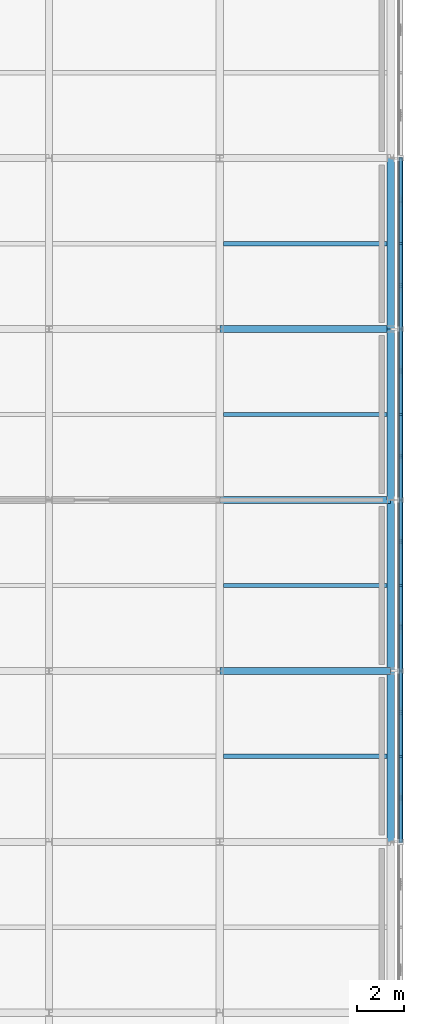
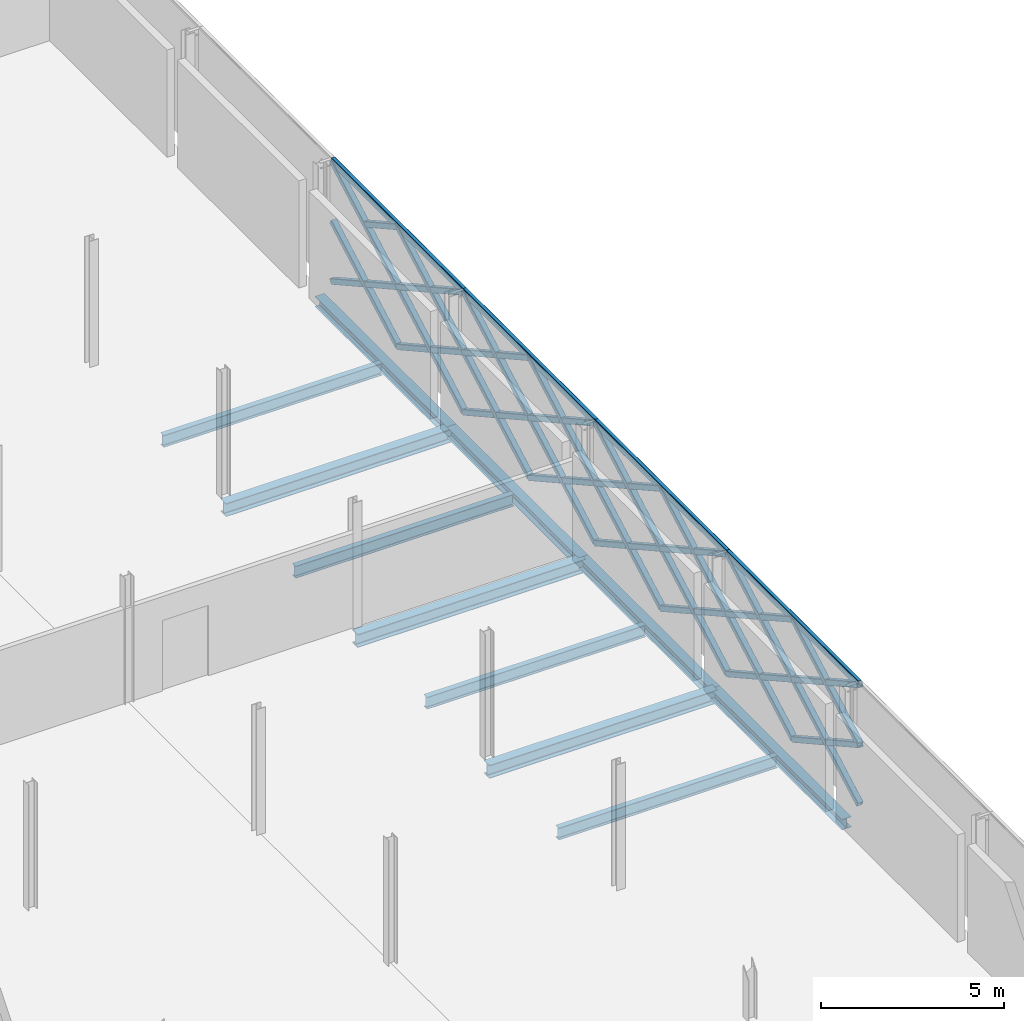
# One storey, part 76 of 146: 51 members, 11 beams.
"""IFC4 building model written with IfcOpenShell, lengths in metres."""

from ifc_helpers import new_model, si_unit, direction, frame, origin, origin_2d, place, context, subcontext, project, spatial, hollow_rectangle, i_section, extrude, material, material_profile, profile_set, type_object, element, save


model = new_model("IFC4")

# Units and contexts
model_context = context("Model", 3, precision=1e-05, world=origin(), true_north=direction((0.0, 1.0)))
body_context = subcontext(model_context, "Body", "Model", "MODEL_VIEW")
ifc_project = project(units=[si_unit("LENGTHUNIT", "METRE"), si_unit("AREAUNIT", "SQUARE_METRE"), si_unit("VOLUMEUNIT", "CUBIC_METRE"), si_unit("PLANEANGLEUNIT", "RADIAN"), si_unit("MASSUNIT", "GRAM", prefix="KILO")], contexts=[model_context])

# Site, building, storey
site_placement = place(None, origin())
site = spatial("IfcSite", under=ifc_project, at=site_placement, CompositionType="ELEMENT")
building_placement = place(site_placement, origin())
building = spatial("IfcBuilding", under=site, at=building_placement, Name="Zlatovets Crest Museum", CompositionType="ELEMENT")
storey_placement = place(building_placement, frame((0.0, 0.0, 4.5)))
storey = spatial("IfcBuildingStorey", under=building, at=storey_placement, Name="L01", CompositionType="ELEMENT", Elevation=4.5)

# Beams
ifc_material_1 = material(Name="Structural steel S355J2", Category="steel")
ifc_material_profile_1 = material_profile(ifc_material_1, i_section(OverallWidth=0.300048828125, OverallDepth=0.35009765625, WebThickness=0.010009765625, FlangeThickness=0.017578125, FilletRadius=0.027099609375, at=origin_2d()), Name="HEA 360")
ifc_profile_set_1 = profile_set([ifc_material_profile_1], Name="Structural steel S355J2")
beam_type_1 = type_object("IfcBeamType", Name="Beam_B-03", PredefinedType="BEAM", material=ifc_profile_set_1)
for number, where, z_axis, x_axis, name in (
    (1, (165.60009765625, 57.60009765625, -0.39501953125), (0.0, 1.0, 0.0), (-1.0, 0.0, 0.0), "V5 L01 Grid Beam B-03"),
    (2, (165.60009765625, 64.800048828125, -0.39501953125), (0.0, 1.0, 0.0), (-1.0, 0.0, 0.0), "V5 L01 Grid Beam B-03"),
    (3, (165.60009765625, 72.0, -0.39501953125), (0.0, 1.0, 0.0), (-1.0, 0.0, 0.0), "V5 L01 Grid Beam B-03"),
    (4, (165.60009765625, 79.199951171875, -0.39501953125), (0.0, 1.0, 0.0), (-1.0, 0.0, 0.0), "V5 L01 Grid Beam B-03"),
):
    element("IfcBeam", number, at=place(storey_placement, frame(where, z_axis=z_axis, x_axis=x_axis)), inside=storey, type_object=beam_type_1, Name=name, PredefinedType="BEAM", context=body_context, shape_type="SweptSolid", body=[
        extrude(i_section(OverallWidth=0.300048828125, OverallDepth=0.35009765625, WebThickness=0.010009765625, FlangeThickness=0.017578125, FilletRadius=0.027099609375, at=origin_2d()), origin(), (0.0, 0.0, 1.0), 7.199951171875),
    ])
ifc_material_profile_2 = material_profile(ifc_material_1, i_section(OverallWidth=0.300048828125, OverallDepth=0.43994140625, WebThickness=0.011474609375, FlangeThickness=0.02099609375, FilletRadius=0.027099609375, at=origin_2d()), Name="HEA 450")
ifc_profile_set_2 = profile_set([ifc_material_profile_2], Name="Structural steel S355J2")
beam_type_2 = type_object("IfcBeamType", Name="Beam_B-10", PredefinedType="BEAM", material=ifc_profile_set_2)
for number, where, z_axis, x_axis, name in (
    (5, (158.39990234375, 64.800048828125, -0.43994140625), (1.0, 0.0, 0.0), (0.0, 1.0, 0.0), "V5 L01 Primary Girder B-10"),
    (6, (158.39990234375, 72.0, -0.43994140625), (1.0, 0.0, 0.0), (0.0, 1.0, 0.0), "V5 L01 Primary Girder B-10"),
    (7, (158.39990234375, 79.199951171875, -0.43994140625), (1.0, 0.0, 0.0), (0.0, 1.0, 0.0), "V5 L01 Primary Girder B-10"),
):
    element("IfcBeam", number, at=place(storey_placement, frame(where, z_axis=z_axis, x_axis=x_axis)), inside=storey, type_object=beam_type_2, Name=name, PredefinedType="BEAM", context=body_context, shape_type="SweptSolid", body=[
        extrude(i_section(OverallWidth=0.300048828125, OverallDepth=0.43994140625, WebThickness=0.011474609375, FlangeThickness=0.02099609375, FilletRadius=0.027099609375, at=origin_2d()), origin(), (0.0, 0.0, 1.0), 7.2001953125),
    ])
ifc_material_profile_3 = material_profile(ifc_material_1, i_section(OverallWidth=0.179931640625, OverallDepth=0.39990234375, WebThickness=0.008544921875, FlangeThickness=0.013427734375, FilletRadius=0.02099609375, at=origin_2d()), Name="IPE 400")
ifc_profile_set_3 = profile_set([ifc_material_profile_3], Name="Structural steel S355J2")
beam_type_3 = type_object("IfcBeamType", Name="Beam_J-04", PredefinedType="JOIST", material=ifc_profile_set_3)
for number, where, z_axis, x_axis, name in (
    (8, (158.550048828125, 61.199951171875, -0.419921875), (1.0, 0.0, 0.0), (0.0, 1.0, 0.0), "V5 L01 Composite Joist J-04"),
    (9, (158.550048828125, 68.39990234375, -0.419921875), (1.0, 0.0, 0.0), (0.0, 1.0, 0.0), "V5 L01 Composite Joist J-04"),
    (10, (158.550048828125, 75.60009765625, -0.419921875), (1.0, 0.0, 0.0), (0.0, 1.0, 0.0), "V5 L01 Composite Joist J-04"),
    (11, (158.550048828125, 82.800048828125, -0.419921875), (1.0, 0.0, 0.0), (0.0, 1.0, 0.0), "V5 L01 Composite Joist J-04"),
):
    element("IfcBeam", number, at=place(storey_placement, frame(where, z_axis=z_axis, x_axis=x_axis)), inside=storey, type_object=beam_type_3, Name=name, PredefinedType="JOIST", context=body_context, shape_type="SweptSolid", body=[
        extrude(i_section(OverallWidth=0.179931640625, OverallDepth=0.39990234375, WebThickness=0.008544921875, FlangeThickness=0.013427734375, FilletRadius=0.02099609375, at=origin_2d()), origin(), (0.0, 0.0, 1.0), 6.89990234375),
    ])

# Members
ifc_material_2 = material(Name="Weathering bronze-steel S355J2W", Category="steel")
ifc_material_profile_4 = material_profile(ifc_material_2, hollow_rectangle(XDim=0.179931640625, YDim=0.179931640625, WallThickness=0.010009765625, InnerFilletRadius=0.010009765625, OuterFilletRadius=0.02001953125, at=origin_2d()), Name="SHS 180x180x10.0")
ifc_profile_set_4 = profile_set([ifc_material_profile_4], Name="Weathering bronze-steel S355J2W")
member_type_1 = type_object("IfcMemberType", Name="Lattice_XL-01", PredefinedType="BRACE", material=ifc_profile_set_4)
member_1_placement = place(storey_placement, frame((166.02001953125, 57.60009765625, 0.10009765625), z_axis=(0.0, 0.874148886685, 0.485658031857), x_axis=(-1.0, 0.0, 0.0)))
element("IfcMember", 12, at=member_1_placement, inside=storey, type_object=member_type_1, Name="Continuous Bronze Lattice Diagonal", PredefinedType="BRACE", context=body_context, shape_type="SweptSolid", body=[
    extrude(hollow_rectangle(XDim=0.179931640625, YDim=0.179931640625, WallThickness=0.010009765625, InnerFilletRadius=0.010009765625, OuterFilletRadius=0.02001953125, at=origin_2d()), origin(), (0.0, 0.0, 1.0), 4.1181640625),
])
for number, where, z_axis, x_axis, name in (
    (13, (166.02001953125, 57.60009765625, 2.10009765625), (0.0, 0.874086907708, -0.485769572713), (-1.0, 0.0, 0.0), "Split Crossing Bronze Lattice Diagonal Upper"),
    (14, (166.02001953125, 59.48291015625, 1.053955078125), (0.0, 0.874169001841, -0.485621824284), (-1.0, 0.0, 0.0), "Split Crossing Bronze Lattice Diagonal Lower"),
):
    element("IfcMember", number, at=place(storey_placement, frame(where, z_axis=z_axis, x_axis=x_axis)), inside=storey, type_object=member_type_1, Name=name, PredefinedType="BRACE", context=body_context, shape_type="SweptSolid", body=[
        extrude(hollow_rectangle(XDim=0.179931640625, YDim=0.179931640625, WallThickness=0.010009765625, InnerFilletRadius=0.010009765625, OuterFilletRadius=0.02001953125, at=origin_2d()), origin(), (0.0, 0.0, 1.0), 1.964111328125),
    ])
member_2_placement = place(storey_placement, frame((166.02001953125, 61.199951171875, 0.10009765625), z_axis=(0.0, 0.874162868644, 0.485632864501), x_axis=(-1.0, 0.0, 0.0)))
element("IfcMember", 15, at=member_2_placement, inside=storey, type_object=member_type_1, Name="Continuous Bronze Lattice Diagonal", PredefinedType="BRACE", context=body_context, shape_type="SweptSolid", body=[
    extrude(hollow_rectangle(XDim=0.179931640625, YDim=0.179931640625, WallThickness=0.010009765625, InnerFilletRadius=0.010009765625, OuterFilletRadius=0.02001953125, at=origin_2d()), origin(), (0.0, 0.0, 1.0), 4.118408203125),
])
member_3_placement = place(storey_placement, frame((166.02001953125, 61.199951171875, 2.10009765625), z_axis=(0.0, 0.874116234569, -0.48571679862), x_axis=(-1.0, 0.0, 0.0)))
element("IfcMember", 16, at=member_3_placement, inside=storey, type_object=member_type_1, Name="Split Crossing Bronze Lattice Diagonal Upper", PredefinedType="BRACE", context=body_context, shape_type="SweptSolid", body=[
    extrude(hollow_rectangle(XDim=0.179931640625, YDim=0.179931640625, WallThickness=0.010009765625, InnerFilletRadius=0.010009765625, OuterFilletRadius=0.02001953125, at=origin_2d()), origin(), (0.0, 0.0, 1.0), 1.96435546875),
])
member_4_placement = place(storey_placement, frame((166.02001953125, 63.0830078125, 1.053955078125), z_axis=(0.0, 0.874169001841, -0.485621824284), x_axis=(-1.0, 0.0, 0.0)))
element("IfcMember", 17, at=member_4_placement, inside=storey, type_object=member_type_1, Name="Split Crossing Bronze Lattice Diagonal Lower", PredefinedType="BRACE", context=body_context, shape_type="SweptSolid", body=[
    extrude(hollow_rectangle(XDim=0.179931640625, YDim=0.179931640625, WallThickness=0.010009765625, InnerFilletRadius=0.010009765625, OuterFilletRadius=0.02001953125, at=origin_2d()), origin(), (0.0, 0.0, 1.0), 1.964111328125),
])
member_5_placement = place(storey_placement, frame((166.02001953125, 57.60009765625, 2.10009765625), z_axis=(0.0, 0.874148886685, 0.485658031857), x_axis=(-1.0, 0.0, 0.0)))
element("IfcMember", 18, at=member_5_placement, inside=storey, type_object=member_type_1, Name="Continuous Bronze Lattice Diagonal", PredefinedType="BRACE", context=body_context, shape_type="SweptSolid", body=[
    extrude(hollow_rectangle(XDim=0.179931640625, YDim=0.179931640625, WallThickness=0.010009765625, InnerFilletRadius=0.010009765625, OuterFilletRadius=0.02001953125, at=origin_2d()), origin(), (0.0, 0.0, 1.0), 4.1181640625),
])
for number, where, z_axis, x_axis, name in (
    (19, (166.02001953125, 57.60009765625, 4.10009765625), (0.0, 0.874086907708, -0.485769572713), (-1.0, 0.0, 0.0), "Split Crossing Bronze Lattice Diagonal Upper"),
    (20, (166.02001953125, 59.48291015625, 3.053955078125), (0.0, 0.874169001841, -0.485621824284), (-1.0, 0.0, 0.0), "Split Crossing Bronze Lattice Diagonal Lower"),
):
    element("IfcMember", number, at=place(storey_placement, frame(where, z_axis=z_axis, x_axis=x_axis)), inside=storey, type_object=member_type_1, Name=name, PredefinedType="BRACE", context=body_context, shape_type="SweptSolid", body=[
        extrude(hollow_rectangle(XDim=0.179931640625, YDim=0.179931640625, WallThickness=0.010009765625, InnerFilletRadius=0.010009765625, OuterFilletRadius=0.02001953125, at=origin_2d()), origin(), (0.0, 0.0, 1.0), 1.964111328125),
    ])
member_6_placement = place(storey_placement, frame((166.02001953125, 61.199951171875, 2.10009765625), z_axis=(0.0, 0.874162868644, 0.485632864501), x_axis=(-1.0, 0.0, 0.0)))
element("IfcMember", 21, at=member_6_placement, inside=storey, type_object=member_type_1, Name="Continuous Bronze Lattice Diagonal", PredefinedType="BRACE", context=body_context, shape_type="SweptSolid", body=[
    extrude(hollow_rectangle(XDim=0.179931640625, YDim=0.179931640625, WallThickness=0.010009765625, InnerFilletRadius=0.010009765625, OuterFilletRadius=0.02001953125, at=origin_2d()), origin(), (0.0, 0.0, 1.0), 4.118408203125),
])
member_7_placement = place(storey_placement, frame((166.02001953125, 61.199951171875, 4.10009765625), z_axis=(0.0, 0.874116234569, -0.48571679862), x_axis=(-1.0, 0.0, 0.0)))
element("IfcMember", 22, at=member_7_placement, inside=storey, type_object=member_type_1, Name="Split Crossing Bronze Lattice Diagonal Upper", PredefinedType="BRACE", context=body_context, shape_type="SweptSolid", body=[
    extrude(hollow_rectangle(XDim=0.179931640625, YDim=0.179931640625, WallThickness=0.010009765625, InnerFilletRadius=0.010009765625, OuterFilletRadius=0.02001953125, at=origin_2d()), origin(), (0.0, 0.0, 1.0), 1.96435546875),
])
member_8_placement = place(storey_placement, frame((166.02001953125, 63.0830078125, 3.053955078125), z_axis=(0.0, 0.874169001841, -0.485621824284), x_axis=(-1.0, 0.0, 0.0)))
element("IfcMember", 23, at=member_8_placement, inside=storey, type_object=member_type_1, Name="Split Crossing Bronze Lattice Diagonal Lower", PredefinedType="BRACE", context=body_context, shape_type="SweptSolid", body=[
    extrude(hollow_rectangle(XDim=0.179931640625, YDim=0.179931640625, WallThickness=0.010009765625, InnerFilletRadius=0.010009765625, OuterFilletRadius=0.02001953125, at=origin_2d()), origin(), (0.0, 0.0, 1.0), 1.964111328125),
])
member_9_placement = place(storey_placement, frame((166.02001953125, 64.800048828125, 0.10009765625), z_axis=(0.0, 0.874148886685, 0.485658031857), x_axis=(-1.0, 0.0, 0.0)))
element("IfcMember", 24, at=member_9_placement, inside=storey, type_object=member_type_1, Name="Continuous Bronze Lattice Diagonal", PredefinedType="BRACE", context=body_context, shape_type="SweptSolid", body=[
    extrude(hollow_rectangle(XDim=0.179931640625, YDim=0.179931640625, WallThickness=0.010009765625, InnerFilletRadius=0.010009765625, OuterFilletRadius=0.02001953125, at=origin_2d()), origin(), (0.0, 0.0, 1.0), 4.1181640625),
])
member_10_placement = place(storey_placement, frame((166.02001953125, 64.800048828125, 2.10009765625), z_axis=(0.0, 0.874116234569, -0.48571679862), x_axis=(-1.0, 0.0, 0.0)))
element("IfcMember", 25, at=member_10_placement, inside=storey, type_object=member_type_1, Name="Split Crossing Bronze Lattice Diagonal Upper", PredefinedType="BRACE", context=body_context, shape_type="SweptSolid", body=[
    extrude(hollow_rectangle(XDim=0.179931640625, YDim=0.179931640625, WallThickness=0.010009765625, InnerFilletRadius=0.010009765625, OuterFilletRadius=0.02001953125, at=origin_2d()), origin(), (0.0, 0.0, 1.0), 1.96435546875),
])
member_11_placement = place(storey_placement, frame((166.02001953125, 66.68310546875, 1.053955078125), z_axis=(0.0, 0.874139684676, -0.48567459443), x_axis=(-1.0, 0.0, 0.0)))
element("IfcMember", 26, at=member_11_placement, inside=storey, type_object=member_type_1, Name="Split Crossing Bronze Lattice Diagonal Lower", PredefinedType="BRACE", context=body_context, shape_type="SweptSolid", body=[
    extrude(hollow_rectangle(XDim=0.179931640625, YDim=0.179931640625, WallThickness=0.010009765625, InnerFilletRadius=0.010009765625, OuterFilletRadius=0.02001953125, at=origin_2d()), origin(), (0.0, 0.0, 1.0), 1.9638671875),
])
member_12_placement = place(storey_placement, frame((166.02001953125, 68.39990234375, 0.10009765625), z_axis=(0.0, 0.874162868644, 0.485632864501), x_axis=(-1.0, 0.0, 0.0)))
element("IfcMember", 27, at=member_12_placement, inside=storey, type_object=member_type_1, Name="Continuous Bronze Lattice Diagonal", PredefinedType="BRACE", context=body_context, shape_type="SweptSolid", body=[
    extrude(hollow_rectangle(XDim=0.179931640625, YDim=0.179931640625, WallThickness=0.010009765625, InnerFilletRadius=0.010009765625, OuterFilletRadius=0.02001953125, at=origin_2d()), origin(), (0.0, 0.0, 1.0), 4.118408203125),
])
member_13_placement = place(storey_placement, frame((166.02001953125, 68.39990234375, 2.10009765625), z_axis=(0.0, 0.874116234569, -0.48571679862), x_axis=(-1.0, 0.0, 0.0)))
element("IfcMember", 28, at=member_13_placement, inside=storey, type_object=member_type_1, Name="Split Crossing Bronze Lattice Diagonal Upper", PredefinedType="BRACE", context=body_context, shape_type="SweptSolid", body=[
    extrude(hollow_rectangle(XDim=0.179931640625, YDim=0.179931640625, WallThickness=0.010009765625, InnerFilletRadius=0.010009765625, OuterFilletRadius=0.02001953125, at=origin_2d()), origin(), (0.0, 0.0, 1.0), 1.96435546875),
])
member_14_placement = place(storey_placement, frame((166.02001953125, 70.282958984375, 1.053955078125), z_axis=(0.0, 0.874169001841, -0.485621824284), x_axis=(-1.0, 0.0, 0.0)))
element("IfcMember", 29, at=member_14_placement, inside=storey, type_object=member_type_1, Name="Split Crossing Bronze Lattice Diagonal Lower", PredefinedType="BRACE", context=body_context, shape_type="SweptSolid", body=[
    extrude(hollow_rectangle(XDim=0.179931640625, YDim=0.179931640625, WallThickness=0.010009765625, InnerFilletRadius=0.010009765625, OuterFilletRadius=0.02001953125, at=origin_2d()), origin(), (0.0, 0.0, 1.0), 1.964111328125),
])
member_15_placement = place(storey_placement, frame((166.02001953125, 64.800048828125, 2.10009765625), z_axis=(0.0, 0.874148886685, 0.485658031857), x_axis=(-1.0, 0.0, 0.0)))
element("IfcMember", 30, at=member_15_placement, inside=storey, type_object=member_type_1, Name="Continuous Bronze Lattice Diagonal", PredefinedType="BRACE", context=body_context, shape_type="SweptSolid", body=[
    extrude(hollow_rectangle(XDim=0.179931640625, YDim=0.179931640625, WallThickness=0.010009765625, InnerFilletRadius=0.010009765625, OuterFilletRadius=0.02001953125, at=origin_2d()), origin(), (0.0, 0.0, 1.0), 4.1181640625),
])
member_16_placement = place(storey_placement, frame((166.02001953125, 64.800048828125, 4.10009765625), z_axis=(0.0, 0.874116234569, -0.48571679862), x_axis=(-1.0, 0.0, 0.0)))
element("IfcMember", 31, at=member_16_placement, inside=storey, type_object=member_type_1, Name="Split Crossing Bronze Lattice Diagonal Upper", PredefinedType="BRACE", context=body_context, shape_type="SweptSolid", body=[
    extrude(hollow_rectangle(XDim=0.179931640625, YDim=0.179931640625, WallThickness=0.010009765625, InnerFilletRadius=0.010009765625, OuterFilletRadius=0.02001953125, at=origin_2d()), origin(), (0.0, 0.0, 1.0), 1.96435546875),
])
member_17_placement = place(storey_placement, frame((166.02001953125, 66.68310546875, 3.053955078125), z_axis=(0.0, 0.874139684676, -0.48567459443), x_axis=(-1.0, 0.0, 0.0)))
element("IfcMember", 32, at=member_17_placement, inside=storey, type_object=member_type_1, Name="Split Crossing Bronze Lattice Diagonal Lower", PredefinedType="BRACE", context=body_context, shape_type="SweptSolid", body=[
    extrude(hollow_rectangle(XDim=0.179931640625, YDim=0.179931640625, WallThickness=0.010009765625, InnerFilletRadius=0.010009765625, OuterFilletRadius=0.02001953125, at=origin_2d()), origin(), (0.0, 0.0, 1.0), 1.9638671875),
])
member_18_placement = place(storey_placement, frame((166.02001953125, 68.39990234375, 2.10009765625), z_axis=(0.0, 0.874162868644, 0.485632864501), x_axis=(-1.0, 0.0, 0.0)))
element("IfcMember", 33, at=member_18_placement, inside=storey, type_object=member_type_1, Name="Continuous Bronze Lattice Diagonal", PredefinedType="BRACE", context=body_context, shape_type="SweptSolid", body=[
    extrude(hollow_rectangle(XDim=0.179931640625, YDim=0.179931640625, WallThickness=0.010009765625, InnerFilletRadius=0.010009765625, OuterFilletRadius=0.02001953125, at=origin_2d()), origin(), (0.0, 0.0, 1.0), 4.118408203125),
])
member_19_placement = place(storey_placement, frame((166.02001953125, 68.39990234375, 4.10009765625), z_axis=(0.0, 0.874116234569, -0.48571679862), x_axis=(-1.0, 0.0, 0.0)))
element("IfcMember", 34, at=member_19_placement, inside=storey, type_object=member_type_1, Name="Split Crossing Bronze Lattice Diagonal Upper", PredefinedType="BRACE", context=body_context, shape_type="SweptSolid", body=[
    extrude(hollow_rectangle(XDim=0.179931640625, YDim=0.179931640625, WallThickness=0.010009765625, InnerFilletRadius=0.010009765625, OuterFilletRadius=0.02001953125, at=origin_2d()), origin(), (0.0, 0.0, 1.0), 1.96435546875),
])
member_20_placement = place(storey_placement, frame((166.02001953125, 70.282958984375, 3.053955078125), z_axis=(0.0, 0.874169001841, -0.485621824284), x_axis=(-1.0, 0.0, 0.0)))
element("IfcMember", 35, at=member_20_placement, inside=storey, type_object=member_type_1, Name="Split Crossing Bronze Lattice Diagonal Lower", PredefinedType="BRACE", context=body_context, shape_type="SweptSolid", body=[
    extrude(hollow_rectangle(XDim=0.179931640625, YDim=0.179931640625, WallThickness=0.010009765625, InnerFilletRadius=0.010009765625, OuterFilletRadius=0.02001953125, at=origin_2d()), origin(), (0.0, 0.0, 1.0), 1.964111328125),
])
member_21_placement = place(storey_placement, frame((166.02001953125, 72.0, 0.10009765625), z_axis=(0.0, 0.874162868644, 0.485632864501), x_axis=(-1.0, 0.0, 0.0)))
element("IfcMember", 36, at=member_21_placement, inside=storey, type_object=member_type_1, Name="Continuous Bronze Lattice Diagonal", PredefinedType="BRACE", context=body_context, shape_type="SweptSolid", body=[
    extrude(hollow_rectangle(XDim=0.179931640625, YDim=0.179931640625, WallThickness=0.010009765625, InnerFilletRadius=0.010009765625, OuterFilletRadius=0.02001953125, at=origin_2d()), origin(), (0.0, 0.0, 1.0), 4.118408203125),
])
member_22_placement = place(storey_placement, frame((166.02001953125, 72.0, 2.10009765625), z_axis=(0.0, 0.874116234569, -0.48571679862), x_axis=(-1.0, 0.0, 0.0)))
element("IfcMember", 37, at=member_22_placement, inside=storey, type_object=member_type_1, Name="Split Crossing Bronze Lattice Diagonal Upper", PredefinedType="BRACE", context=body_context, shape_type="SweptSolid", body=[
    extrude(hollow_rectangle(XDim=0.179931640625, YDim=0.179931640625, WallThickness=0.010009765625, InnerFilletRadius=0.010009765625, OuterFilletRadius=0.02001953125, at=origin_2d()), origin(), (0.0, 0.0, 1.0), 1.96435546875),
])
member_23_placement = place(storey_placement, frame((166.02001953125, 73.883056640625, 1.053955078125), z_axis=(0.0, 0.874169001841, -0.485621824284), x_axis=(-1.0, 0.0, 0.0)))
element("IfcMember", 38, at=member_23_placement, inside=storey, type_object=member_type_1, Name="Split Crossing Bronze Lattice Diagonal Lower", PredefinedType="BRACE", context=body_context, shape_type="SweptSolid", body=[
    extrude(hollow_rectangle(XDim=0.179931640625, YDim=0.179931640625, WallThickness=0.010009765625, InnerFilletRadius=0.010009765625, OuterFilletRadius=0.02001953125, at=origin_2d()), origin(), (0.0, 0.0, 1.0), 1.964111328125),
])
member_24_placement = place(storey_placement, frame((166.02001953125, 75.60009765625, 0.10009765625), z_axis=(0.0, 0.874148886685, 0.485658031857), x_axis=(-1.0, 0.0, 0.0)))
element("IfcMember", 39, at=member_24_placement, inside=storey, type_object=member_type_1, Name="Continuous Bronze Lattice Diagonal", PredefinedType="BRACE", context=body_context, shape_type="SweptSolid", body=[
    extrude(hollow_rectangle(XDim=0.179931640625, YDim=0.179931640625, WallThickness=0.010009765625, InnerFilletRadius=0.010009765625, OuterFilletRadius=0.02001953125, at=origin_2d()), origin(), (0.0, 0.0, 1.0), 4.1181640625),
])
for number, where, z_axis, x_axis, name in (
    (40, (166.02001953125, 75.60009765625, 2.10009765625), (0.0, 0.874086907708, -0.485769572713), (-1.0, 0.0, 0.0), "Split Crossing Bronze Lattice Diagonal Upper"),
    (41, (166.02001953125, 77.48291015625, 1.053955078125), (0.0, 0.874169001841, -0.485621824284), (-1.0, 0.0, 0.0), "Split Crossing Bronze Lattice Diagonal Lower"),
):
    element("IfcMember", number, at=place(storey_placement, frame(where, z_axis=z_axis, x_axis=x_axis)), inside=storey, type_object=member_type_1, Name=name, PredefinedType="BRACE", context=body_context, shape_type="SweptSolid", body=[
        extrude(hollow_rectangle(XDim=0.179931640625, YDim=0.179931640625, WallThickness=0.010009765625, InnerFilletRadius=0.010009765625, OuterFilletRadius=0.02001953125, at=origin_2d()), origin(), (0.0, 0.0, 1.0), 1.964111328125),
    ])
member_25_placement = place(storey_placement, frame((166.02001953125, 72.0, 2.10009765625), z_axis=(0.0, 0.874162868644, 0.485632864501), x_axis=(-1.0, 0.0, 0.0)))
element("IfcMember", 42, at=member_25_placement, inside=storey, type_object=member_type_1, Name="Continuous Bronze Lattice Diagonal", PredefinedType="BRACE", context=body_context, shape_type="SweptSolid", body=[
    extrude(hollow_rectangle(XDim=0.179931640625, YDim=0.179931640625, WallThickness=0.010009765625, InnerFilletRadius=0.010009765625, OuterFilletRadius=0.02001953125, at=origin_2d()), origin(), (0.0, 0.0, 1.0), 4.118408203125),
])
member_26_placement = place(storey_placement, frame((166.02001953125, 72.0, 4.10009765625), z_axis=(0.0, 0.874116234569, -0.48571679862), x_axis=(-1.0, 0.0, 0.0)))
element("IfcMember", 43, at=member_26_placement, inside=storey, type_object=member_type_1, Name="Split Crossing Bronze Lattice Diagonal Upper", PredefinedType="BRACE", context=body_context, shape_type="SweptSolid", body=[
    extrude(hollow_rectangle(XDim=0.179931640625, YDim=0.179931640625, WallThickness=0.010009765625, InnerFilletRadius=0.010009765625, OuterFilletRadius=0.02001953125, at=origin_2d()), origin(), (0.0, 0.0, 1.0), 1.96435546875),
])
member_27_placement = place(storey_placement, frame((166.02001953125, 73.883056640625, 3.053955078125), z_axis=(0.0, 0.874169001841, -0.485621824284), x_axis=(-1.0, 0.0, 0.0)))
element("IfcMember", 44, at=member_27_placement, inside=storey, type_object=member_type_1, Name="Split Crossing Bronze Lattice Diagonal Lower", PredefinedType="BRACE", context=body_context, shape_type="SweptSolid", body=[
    extrude(hollow_rectangle(XDim=0.179931640625, YDim=0.179931640625, WallThickness=0.010009765625, InnerFilletRadius=0.010009765625, OuterFilletRadius=0.02001953125, at=origin_2d()), origin(), (0.0, 0.0, 1.0), 1.964111328125),
])
member_28_placement = place(storey_placement, frame((166.02001953125, 75.60009765625, 2.10009765625), z_axis=(0.0, 0.874148886685, 0.485658031857), x_axis=(-1.0, 0.0, 0.0)))
element("IfcMember", 45, at=member_28_placement, inside=storey, type_object=member_type_1, Name="Continuous Bronze Lattice Diagonal", PredefinedType="BRACE", context=body_context, shape_type="SweptSolid", body=[
    extrude(hollow_rectangle(XDim=0.179931640625, YDim=0.179931640625, WallThickness=0.010009765625, InnerFilletRadius=0.010009765625, OuterFilletRadius=0.02001953125, at=origin_2d()), origin(), (0.0, 0.0, 1.0), 4.1181640625),
])
for number, where, z_axis, x_axis, name in (
    (46, (166.02001953125, 75.60009765625, 4.10009765625), (0.0, 0.874086907708, -0.485769572713), (-1.0, 0.0, 0.0), "Split Crossing Bronze Lattice Diagonal Upper"),
    (47, (166.02001953125, 77.48291015625, 3.053955078125), (0.0, 0.874169001841, -0.485621824284), (-1.0, 0.0, 0.0), "Split Crossing Bronze Lattice Diagonal Lower"),
):
    element("IfcMember", number, at=place(storey_placement, frame(where, z_axis=z_axis, x_axis=x_axis)), inside=storey, type_object=member_type_1, Name=name, PredefinedType="BRACE", context=body_context, shape_type="SweptSolid", body=[
        extrude(hollow_rectangle(XDim=0.179931640625, YDim=0.179931640625, WallThickness=0.010009765625, InnerFilletRadius=0.010009765625, OuterFilletRadius=0.02001953125, at=origin_2d()), origin(), (0.0, 0.0, 1.0), 1.964111328125),
    ])
member_29_placement = place(storey_placement, frame((166.02001953125, 79.199951171875, 0.10009765625), z_axis=(0.0, 0.874162868644, 0.485632864501), x_axis=(-1.0, 0.0, 0.0)))
element("IfcMember", 48, at=member_29_placement, inside=storey, type_object=member_type_1, Name="Continuous Bronze Lattice Diagonal", PredefinedType="BRACE", context=body_context, shape_type="SweptSolid", body=[
    extrude(hollow_rectangle(XDim=0.179931640625, YDim=0.179931640625, WallThickness=0.010009765625, InnerFilletRadius=0.010009765625, OuterFilletRadius=0.02001953125, at=origin_2d()), origin(), (0.0, 0.0, 1.0), 4.118408203125),
])
member_30_placement = place(storey_placement, frame((166.02001953125, 79.199951171875, 2.10009765625), z_axis=(0.0, 0.874116234569, -0.48571679862), x_axis=(-1.0, 0.0, 0.0)))
element("IfcMember", 49, at=member_30_placement, inside=storey, type_object=member_type_1, Name="Split Crossing Bronze Lattice Diagonal Upper", PredefinedType="BRACE", context=body_context, shape_type="SweptSolid", body=[
    extrude(hollow_rectangle(XDim=0.179931640625, YDim=0.179931640625, WallThickness=0.010009765625, InnerFilletRadius=0.010009765625, OuterFilletRadius=0.02001953125, at=origin_2d()), origin(), (0.0, 0.0, 1.0), 1.96435546875),
])
member_31_placement = place(storey_placement, frame((166.02001953125, 81.0830078125, 1.053955078125), z_axis=(0.0, 0.874169001841, -0.485621824284), x_axis=(-1.0, 0.0, 0.0)))
element("IfcMember", 50, at=member_31_placement, inside=storey, type_object=member_type_1, Name="Split Crossing Bronze Lattice Diagonal Lower", PredefinedType="BRACE", context=body_context, shape_type="SweptSolid", body=[
    extrude(hollow_rectangle(XDim=0.179931640625, YDim=0.179931640625, WallThickness=0.010009765625, InnerFilletRadius=0.010009765625, OuterFilletRadius=0.02001953125, at=origin_2d()), origin(), (0.0, 0.0, 1.0), 1.964111328125),
])
member_32_placement = place(storey_placement, frame((166.02001953125, 82.800048828125, 0.10009765625), z_axis=(0.0, 0.874148886685, 0.485658031857), x_axis=(-1.0, 0.0, 0.0)))
element("IfcMember", 51, at=member_32_placement, inside=storey, type_object=member_type_1, Name="Continuous Bronze Lattice Diagonal", PredefinedType="BRACE", context=body_context, shape_type="SweptSolid", body=[
    extrude(hollow_rectangle(XDim=0.179931640625, YDim=0.179931640625, WallThickness=0.010009765625, InnerFilletRadius=0.010009765625, OuterFilletRadius=0.02001953125, at=origin_2d()), origin(), (0.0, 0.0, 1.0), 4.1181640625),
])
member_33_placement = place(storey_placement, frame((166.02001953125, 82.800048828125, 2.10009765625), z_axis=(0.0, 0.874116234569, -0.48571679862), x_axis=(-1.0, 0.0, 0.0)))
element("IfcMember", 52, at=member_33_placement, inside=storey, type_object=member_type_1, Name="Split Crossing Bronze Lattice Diagonal Upper", PredefinedType="BRACE", context=body_context, shape_type="SweptSolid", body=[
    extrude(hollow_rectangle(XDim=0.179931640625, YDim=0.179931640625, WallThickness=0.010009765625, InnerFilletRadius=0.010009765625, OuterFilletRadius=0.02001953125, at=origin_2d()), origin(), (0.0, 0.0, 1.0), 1.96435546875),
])
member_34_placement = place(storey_placement, frame((166.02001953125, 84.68310546875, 1.053955078125), z_axis=(0.0, 0.874139684676, -0.48567459443), x_axis=(-1.0, 0.0, 0.0)))
element("IfcMember", 53, at=member_34_placement, inside=storey, type_object=member_type_1, Name="Split Crossing Bronze Lattice Diagonal Lower", PredefinedType="BRACE", context=body_context, shape_type="SweptSolid", body=[
    extrude(hollow_rectangle(XDim=0.179931640625, YDim=0.179931640625, WallThickness=0.010009765625, InnerFilletRadius=0.010009765625, OuterFilletRadius=0.02001953125, at=origin_2d()), origin(), (0.0, 0.0, 1.0), 1.9638671875),
])
member_35_placement = place(storey_placement, frame((166.02001953125, 79.199951171875, 2.10009765625), z_axis=(0.0, 0.874162868644, 0.485632864501), x_axis=(-1.0, 0.0, 0.0)))
element("IfcMember", 54, at=member_35_placement, inside=storey, type_object=member_type_1, Name="Continuous Bronze Lattice Diagonal", PredefinedType="BRACE", context=body_context, shape_type="SweptSolid", body=[
    extrude(hollow_rectangle(XDim=0.179931640625, YDim=0.179931640625, WallThickness=0.010009765625, InnerFilletRadius=0.010009765625, OuterFilletRadius=0.02001953125, at=origin_2d()), origin(), (0.0, 0.0, 1.0), 4.118408203125),
])
member_36_placement = place(storey_placement, frame((166.02001953125, 79.199951171875, 4.10009765625), z_axis=(0.0, 0.874116234569, -0.48571679862), x_axis=(-1.0, 0.0, 0.0)))
element("IfcMember", 55, at=member_36_placement, inside=storey, type_object=member_type_1, Name="Split Crossing Bronze Lattice Diagonal Upper", PredefinedType="BRACE", context=body_context, shape_type="SweptSolid", body=[
    extrude(hollow_rectangle(XDim=0.179931640625, YDim=0.179931640625, WallThickness=0.010009765625, InnerFilletRadius=0.010009765625, OuterFilletRadius=0.02001953125, at=origin_2d()), origin(), (0.0, 0.0, 1.0), 1.96435546875),
])
member_37_placement = place(storey_placement, frame((166.02001953125, 81.0830078125, 3.053955078125), z_axis=(0.0, 0.874169001841, -0.485621824284), x_axis=(-1.0, 0.0, 0.0)))
element("IfcMember", 56, at=member_37_placement, inside=storey, type_object=member_type_1, Name="Split Crossing Bronze Lattice Diagonal Lower", PredefinedType="BRACE", context=body_context, shape_type="SweptSolid", body=[
    extrude(hollow_rectangle(XDim=0.179931640625, YDim=0.179931640625, WallThickness=0.010009765625, InnerFilletRadius=0.010009765625, OuterFilletRadius=0.02001953125, at=origin_2d()), origin(), (0.0, 0.0, 1.0), 1.964111328125),
])
member_38_placement = place(storey_placement, frame((166.02001953125, 82.800048828125, 2.10009765625), z_axis=(0.0, 0.874148886685, 0.485658031857), x_axis=(-1.0, 0.0, 0.0)))
element("IfcMember", 57, at=member_38_placement, inside=storey, type_object=member_type_1, Name="Continuous Bronze Lattice Diagonal", PredefinedType="BRACE", context=body_context, shape_type="SweptSolid", body=[
    extrude(hollow_rectangle(XDim=0.179931640625, YDim=0.179931640625, WallThickness=0.010009765625, InnerFilletRadius=0.010009765625, OuterFilletRadius=0.02001953125, at=origin_2d()), origin(), (0.0, 0.0, 1.0), 4.1181640625),
])
member_39_placement = place(storey_placement, frame((166.02001953125, 82.800048828125, 4.10009765625), z_axis=(0.0, 0.874116234569, -0.48571679862), x_axis=(-1.0, 0.0, 0.0)))
element("IfcMember", 58, at=member_39_placement, inside=storey, type_object=member_type_1, Name="Split Crossing Bronze Lattice Diagonal Upper", PredefinedType="BRACE", context=body_context, shape_type="SweptSolid", body=[
    extrude(hollow_rectangle(XDim=0.179931640625, YDim=0.179931640625, WallThickness=0.010009765625, InnerFilletRadius=0.010009765625, OuterFilletRadius=0.02001953125, at=origin_2d()), origin(), (0.0, 0.0, 1.0), 1.96435546875),
])
ifc_material_profile_5 = material_profile(ifc_material_2, hollow_rectangle(XDim=0.1201171875, YDim=0.239990234375, WallThickness=0.010009765625, InnerFilletRadius=0.010009765625, OuterFilletRadius=0.02001953125, at=origin_2d()), Name="RHS 120x240x10.0")
ifc_profile_set_5 = profile_set([ifc_material_profile_5], Name="Weathering bronze-steel S355J2W")
member_type_2 = type_object("IfcMemberType", Name="Lattice_XL-04", PredefinedType="CHORD", material=ifc_profile_set_5)
for number, where, z_axis, x_axis, name in (
    (59, (166.02001953125, 57.60009765625, 4.10009765625), (0.0, 1.0, 0.0), (-1.0, 0.0, 0.0), "Art Nouveau Woven Cage Collector Ring Chord"),
    (60, (166.02001953125, 64.800048828125, 4.10009765625), (0.0, 1.0, 0.0), (-1.0, 0.0, 0.0), "Art Nouveau Woven Cage Collector Ring Chord"),
    (61, (166.02001953125, 72.0, 4.10009765625), (0.0, 1.0, 0.0), (-1.0, 0.0, 0.0), "Art Nouveau Woven Cage Collector Ring Chord"),
    (62, (166.02001953125, 79.199951171875, 4.10009765625), (0.0, 1.0, 0.0), (-1.0, 0.0, 0.0), "Art Nouveau Woven Cage Collector Ring Chord"),
):
    element("IfcMember", number, at=place(storey_placement, frame(where, z_axis=z_axis, x_axis=x_axis)), inside=storey, type_object=member_type_2, Name=name, PredefinedType="CHORD", context=body_context, shape_type="SweptSolid", body=[
        extrude(hollow_rectangle(XDim=0.1201171875, YDim=0.239990234375, WallThickness=0.010009765625, InnerFilletRadius=0.010009765625, OuterFilletRadius=0.02001953125, at=origin_2d()), origin(), (0.0, 0.0, 1.0), 7.199951171875),
    ])

save(model, "model.ifc")
